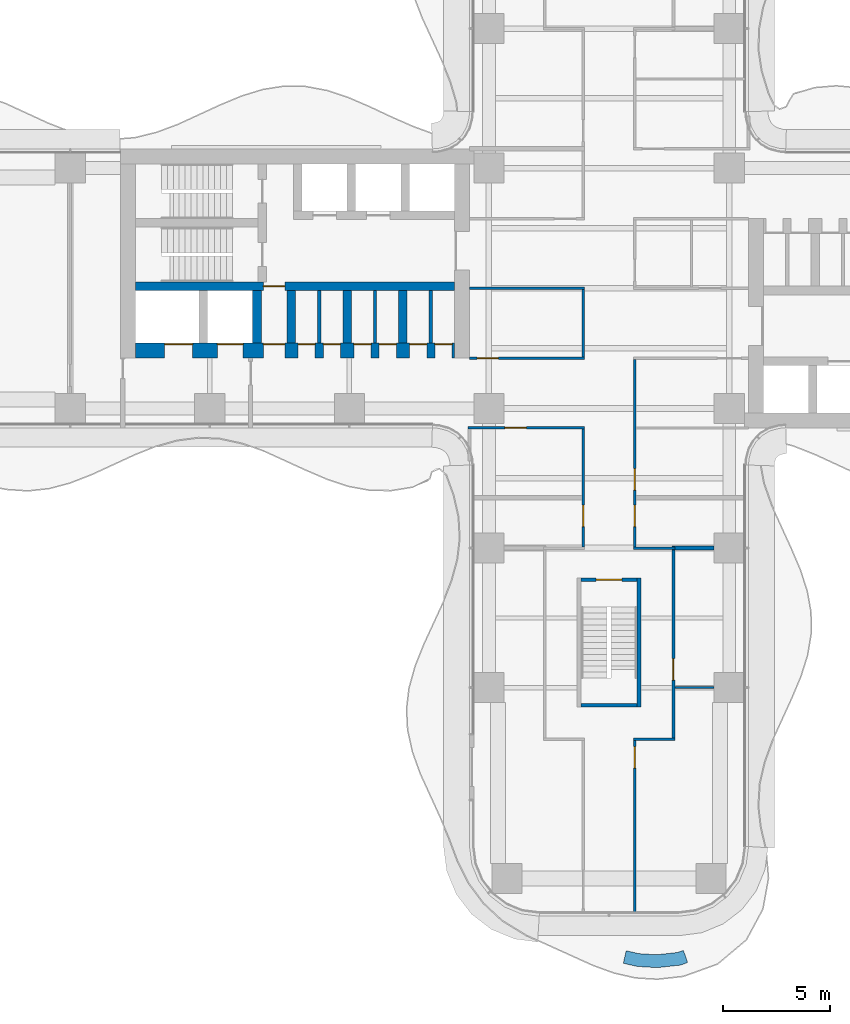
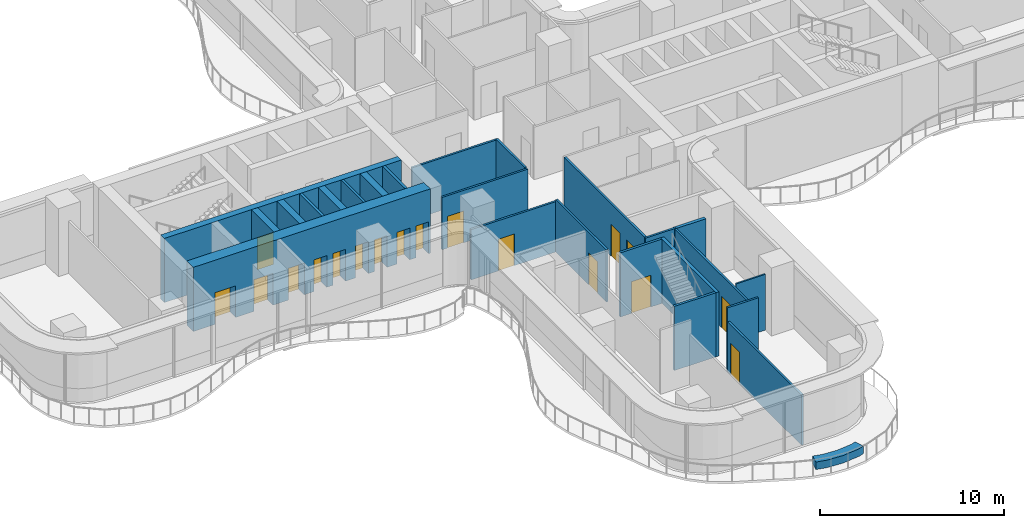
# One storey, part 17 of 22: 25 walls, 18 doors, 18 openings.
"""IFC4 building model written with IfcOpenShell, lengths in metres."""

from ifc_helpers import new_model, si_unit, direction, frame, frame_2d, origin, place, context, subcontext, project, spatial, polyline, rectangle, outline, extrude, source, transform, mapped, material, layer, layer_set, type_object, element, fill, save


model = new_model("IFC4")

# Units and contexts
model_context = context("Model", 3, precision=1e-05, world=origin(), true_north=direction((0.0, 1.0)))
body_context = subcontext(model_context, "Body", "Model", "MODEL_VIEW")
ifc_project = project(units=[si_unit("LENGTHUNIT", "METRE"), si_unit("AREAUNIT", "SQUARE_METRE"), si_unit("VOLUMEUNIT", "CUBIC_METRE"), si_unit("PLANEANGLEUNIT", "RADIAN"), si_unit("MASSUNIT", "GRAM", prefix="KILO")], contexts=[model_context])

# Site, building, storey
site_placement = place(None, origin())
site = spatial("IfcSite", under=ifc_project, at=site_placement, CompositionType="ELEMENT")
building_placement = place(site_placement, origin())
building = spatial("IfcBuilding", under=site, at=building_placement, Name="Trellis Farm Tower", CompositionType="ELEMENT")
storey_placement = place(building_placement, frame((0.0, 0.0, 56.5)))
storey = spatial("IfcBuildingStorey", under=building, at=storey_placement, Name="L11", CompositionType="ELEMENT", Elevation=56.5)

# Walls
ifc_material_1 = material(Name="Sandstone faced masonry planter", Category="masonry")
ifc_layer_1 = layer(ifc_material_1, 0.60009765625)
ifc_layer_set_1 = layer_set([ifc_layer_1], Name="PLANTER BED 600")
wall_type_1 = type_object("IfcWallType", Name="PLANTER BED 600", PredefinedType="USERDEFINED", material=ifc_layer_set_1)
wall_1_placement = place(storey_placement, origin())
element("IfcWall", 1, at=wall_1_placement, inside=storey, type_object=wall_type_1, Name="PLANTER bed", ObjectType="PLANTER", PredefinedType="USERDEFINED", context=body_context, shape_type="SweptSolid", body=[
    extrude(outline(polyline([(2.248779296875, -31.644287109375), (1.3125, -31.589599609375), (0.666259765625, -31.4423828125), (0.79931640625, -30.857421875), (1.397216796875, -30.993408203125), (2.23388671875, -31.042236328125), (3.193115234375, -30.9384765625), (3.464599609375, -30.84228515625), (3.6650390625, -31.40771484375), (3.32763671875, -31.52734375), (2.248779296875, -31.644287109375)])), origin(), (0.0, 0.0, 1.0), 0.5),
])
ifc_material_2 = material(Name="Concrete C80/95", Category="concrete")
ifc_layer_2 = layer(ifc_material_2, 0.39990234375)
ifc_layer_set_2 = layer_set([ifc_layer_2], Name="CORE INNER WALL 400 CONCRETE C80/95")
wall_type_2 = type_object("IfcWallType", Name="CORE INNER WALL 400 CONCRETE C80/95", PredefinedType="SHEAR", material=ifc_layer_set_2)
shared_shape_1 = source(origin(), body_context, "Body", "SweptSolid", [
    extrude(rectangle(XDim=2.449951171875, YDim=0.39990234375, at=frame_2d((1.22509765625, 0.0))), origin(), (0.0, 0.0, 1.0), 4.25),
])
for number, where, z_axis, x_axis, name in (
    (2, (-9.60009765625, -0.10009765625, 0.0), (0.0, 0.0, 1.0), (0.0, -1.0, 0.0), "Core wall"),
    (3, (-12.199951171875, -0.10009765625, 0.0), (0.0, 0.0, 1.0), (0.0, -1.0, 0.0), "Core wall"),
    (4, (-14.800048828125, -0.10009765625, 0.0), (0.0, 0.0, 1.0), (0.0, -1.0, 0.0), "Core wall"),
    (5, (-16.39990234375, -0.10009765625, 0.0), (0.0, 0.0, 1.0), (0.0, -1.0, 0.0), "Core wall"),
):
    element("IfcWall", number, at=place(storey_placement, frame(where, z_axis=z_axis, x_axis=x_axis)), inside=storey, type_object=wall_type_2, Name=name, PredefinedType="SHEAR", context=body_context, shape_type="MappedRepresentation", body=[
        mapped(shared_shape_1, transform((0.0, 0.0, 0.0))),
    ])

# Wall, openings, doors
ifc_layer_3 = layer(ifc_material_2, 0.699951171875)
ifc_layer_set_3 = layer_set([ifc_layer_3], Name="CORE OUTER WALL 700 CONCRETE C80/95")
wall_type_3 = type_object("IfcWallType", Name="CORE OUTER WALL 700 CONCRETE C80/95", PredefinedType="SHEAR", material=ifc_layer_set_3)
shared_shape_2 = source(origin(), body_context, "Body", "SweptSolid", [
    extrude(rectangle(XDim=14.85009765625, YDim=0.699951171875, at=frame_2d((7.425048828125, 0.0))), origin(), (0.0, 0.0, 1.0), 4.25),
])
wall_2_placement = place(storey_placement, frame((-7.199951171875, -2.89990234375, 0.0), z_axis=(0.0, 0.0, 1.0), x_axis=(-1.0, 0.0, 0.0)))
wall_2 = element("IfcWall", 6, at=wall_2_placement, inside=storey, type_object=wall_type_3, Name="Core wall", PredefinedType="SHEAR", context=body_context, shape_type="MappedRepresentation", body=[
    mapped(shared_shape_2, transform((0.0, 0.0, 0.0))),
])
shared_shape_3 = source(origin(), body_context, "Body", "SweptSolid", [
    extrude(rectangle(XDim=1.300048828125, YDim=2.10009765625, at=frame_2d((0.64990234375, 1.050048828125))), frame((0.0, 0.360107421875, 0.0), z_axis=(0.0, -1.0, 0.0), x_axis=(1.0, 0.0, 0.0)), (0.0, 0.0, 1.0), 0.72021484375),
])
opening_1_placement = place(wall_2_placement, frame((12.199951171875, 0.0, 0.0)))
opening_1 = element("IfcOpeningElement", 7, at=opening_1_placement, cuts=wall_2, Name="Opening LD15", PredefinedType="OPENING", context=body_context, shape_type="MappedRepresentation", body=[
    mapped(shared_shape_3, transform((0.0, 0.0, 0.0))),
])
shared_shape_4 = source(origin(), body_context, "Body", "SweptSolid", [
    extrude(rectangle(XDim=1.199951171875, YDim=2.10009765625, at=frame_2d((0.60009765625, 1.050048828125))), frame((0.0, 0.360107421875, 0.0), z_axis=(0.0, -1.0, 0.0), x_axis=(1.0, 0.0, 0.0)), (0.0, 0.0, 1.0), 0.72021484375),
])
opening_2_placement = place(wall_2_placement, frame((9.85009765625, 0.0, 0.0)))
opening_2 = element("IfcOpeningElement", 8, at=opening_2_placement, cuts=wall_2, Name="Opening LD16", PredefinedType="OPENING", context=body_context, shape_type="MappedRepresentation", body=[
    mapped(shared_shape_4, transform((0.0, 0.0, 0.0))),
])
shared_shape_5 = source(origin(), body_context, "Body", "SweptSolid", [
    extrude(rectangle(XDim=1.0, YDim=2.10009765625, at=frame_2d((0.5, 1.050048828125))), frame((0.0, 0.360107421875, 0.0), z_axis=(0.0, -1.0, 0.0), x_axis=(1.0, 0.0, 0.0)), (0.0, 0.0, 1.0), 0.72021484375),
])
opening_3_placement = place(wall_2_placement, frame((7.89990234375, 0.0, 0.0)))
opening_3 = element("IfcOpeningElement", 9, at=opening_3_placement, cuts=wall_2, Name="Opening DC92", PredefinedType="OPENING", context=body_context, shape_type="MappedRepresentation", body=[
    mapped(shared_shape_5, transform((0.0, 0.0, 0.0))),
])
shared_shape_6 = source(origin(), body_context, "Body", "SweptSolid", [
    extrude(rectangle(XDim=0.800048828125, YDim=2.10009765625, at=frame_2d((0.39990234375, 1.050048828125))), frame((0.0, 0.360107421875, 0.0), z_axis=(0.0, -1.0, 0.0), x_axis=(1.0, 0.0, 0.0)), (0.0, 0.0, 1.0), 0.72021484375),
])
opening_4_placement = place(wall_2_placement, frame((0.112548828125, 0.0, 0.0)))
opening_4 = element("IfcOpeningElement", 10, at=opening_4_placement, cuts=wall_2, Name="Opening DC95", PredefinedType="OPENING", context=body_context, shape_type="MappedRepresentation", body=[
    mapped(shared_shape_6, transform((0.0, 0.0, 0.0))),
])
opening_5_placement = place(wall_2_placement, frame((1.28759765625, 0.0, 0.0)))
opening_5 = element("IfcOpeningElement", 11, at=opening_5_placement, cuts=wall_2, Name="Opening DC102", PredefinedType="OPENING", context=body_context, shape_type="MappedRepresentation", body=[
    mapped(shared_shape_6, transform((0.0, 0.0, 0.0))),
])
opening_6_placement = place(wall_2_placement, frame((2.71240234375, 0.0, 0.0)))
opening_6 = element("IfcOpeningElement", 12, at=opening_6_placement, cuts=wall_2, Name="Opening DC107", PredefinedType="OPENING", context=body_context, shape_type="MappedRepresentation", body=[
    mapped(shared_shape_6, transform((0.0, 0.0, 0.0))),
])
opening_7_placement = place(wall_2_placement, frame((3.887451171875, 0.0, 0.0)))
opening_7 = element("IfcOpeningElement", 13, at=opening_7_placement, cuts=wall_2, Name="Opening DC114", PredefinedType="OPENING", context=body_context, shape_type="MappedRepresentation", body=[
    mapped(shared_shape_6, transform((0.0, 0.0, 0.0))),
])
opening_8_placement = place(wall_2_placement, frame((5.3125, 0.0, 0.0)))
opening_8 = element("IfcOpeningElement", 14, at=opening_8_placement, cuts=wall_2, Name="Opening DC119", PredefinedType="OPENING", context=body_context, shape_type="MappedRepresentation", body=[
    mapped(shared_shape_6, transform((0.0, 0.0, 0.0))),
])
opening_9_placement = place(wall_2_placement, frame((6.487548828125, 0.0, 0.0)))
opening_9 = element("IfcOpeningElement", 15, at=opening_9_placement, cuts=wall_2, Name="Opening DC126", PredefinedType="OPENING", context=body_context, shape_type="MappedRepresentation", body=[
    mapped(shared_shape_6, transform((0.0, 0.0, 0.0))),
])
ifc_material_3 = material(Name="Steel", Category="steel")
door_type_1 = type_object("IfcDoorType", Name="CORE FIRE DOOR 1000 X 2100", OperationType="NOTDEFINED", PredefinedType="DOOR", material=ifc_material_3)
shared_shape_7 = source(origin(), body_context, "Body", "SweptSolid", [
    extrude(rectangle(XDim=1.0, YDim=2.10009765625, at=frame_2d((0.5, 1.050048828125))), frame((0.0, -0.27490234375, 0.0), z_axis=(0.0, -1.0, 0.0), x_axis=(1.0, 0.0, 0.0)), (0.0, 0.0, 1.0), 0.050048828125),
])
door_1_placement = place(opening_3_placement, origin())
door_1 = element("IfcDoor", 16, at=door_1_placement, inside=storey, type_object=door_type_1, Name="Core door", OperationType="SINGLE_SWING_LEFT", OverallHeight=2.10009765625, OverallWidth=1.0, PredefinedType="DOOR", context=body_context, shape_type="MappedRepresentation", body=[
    mapped(shared_shape_7, transform((0.0, 0.0, 0.0))),
])
fill(opening_3, door_1)
ifc_material_4 = material(Name="Stainless steel", Category="steel")
door_type_2 = type_object("IfcDoorType", Name="LIFT LANDING DOOR 1300 X 2100", OperationType="DOUBLE_DOOR_SLIDING", PredefinedType="DOOR", material=ifc_material_4)
shared_shape_8 = source(origin(), body_context, "Body", "SweptSolid", [
    extrude(rectangle(XDim=1.300048828125, YDim=2.10009765625, at=frame_2d((0.64990234375, 1.050048828125))), frame((0.0, -0.27490234375, 0.0), z_axis=(0.0, -1.0, 0.0), x_axis=(1.0, 0.0, 0.0)), (0.0, 0.0, 1.0), 0.050048828125),
])
door_2_placement = place(opening_1_placement, origin())
door_2 = element("IfcDoor", 17, at=door_2_placement, inside=storey, type_object=door_type_2, Name="Lift landing door", OperationType="DOUBLE_DOOR_SLIDING", OverallHeight=2.10009765625, OverallWidth=1.300048828125, PredefinedType="DOOR", context=body_context, shape_type="MappedRepresentation", body=[
    mapped(shared_shape_8, transform((0.0, 0.0, 0.0))),
])
fill(opening_1, door_2)
door_type_3 = type_object("IfcDoorType", Name="LIFT LANDING DOOR 1200 X 2100", OperationType="DOUBLE_DOOR_SLIDING", PredefinedType="DOOR", material=ifc_material_4)
shared_shape_9 = source(origin(), body_context, "Body", "SweptSolid", [
    extrude(rectangle(XDim=1.199951171875, YDim=2.10009765625, at=frame_2d((0.60009765625, 1.050048828125))), frame((0.0, -0.27490234375, 0.0), z_axis=(0.0, -1.0, 0.0), x_axis=(1.0, 0.0, 0.0)), (0.0, 0.0, 1.0), 0.050048828125),
])
door_3_placement = place(opening_2_placement, origin())
door_3 = element("IfcDoor", 18, at=door_3_placement, inside=storey, type_object=door_type_3, Name="Lift landing door", OperationType="DOUBLE_DOOR_SLIDING", OverallHeight=2.10009765625, OverallWidth=1.199951171875, PredefinedType="DOOR", context=body_context, shape_type="MappedRepresentation", body=[
    mapped(shared_shape_9, transform((0.0, 0.0, 0.0))),
])
fill(opening_2, door_3)
door_type_4 = type_object("IfcDoorType", Name="CORE FIRE DOOR 800 X 2100", OperationType="NOTDEFINED", PredefinedType="DOOR", material=ifc_material_3)
shared_shape_10 = source(origin(), body_context, "Body", "SweptSolid", [
    extrude(rectangle(XDim=0.800048828125, YDim=2.10009765625, at=frame_2d((0.39990234375, 1.050048828125))), frame((0.0, -0.27490234375, 0.0), z_axis=(0.0, -1.0, 0.0), x_axis=(1.0, 0.0, 0.0)), (0.0, 0.0, 1.0), 0.050048828125),
])
door_4_placement = place(opening_4_placement, origin())
door_4 = element("IfcDoor", 19, at=door_4_placement, inside=storey, type_object=door_type_4, Name="Core door", OperationType="SINGLE_SWING_LEFT", OverallHeight=2.10009765625, OverallWidth=0.800048828125, PredefinedType="DOOR", context=body_context, shape_type="MappedRepresentation", body=[
    mapped(shared_shape_10, transform((0.0, 0.0, 0.0))),
])
fill(opening_4, door_4)
door_5_placement = place(opening_5_placement, origin())
door_5 = element("IfcDoor", 20, at=door_5_placement, inside=storey, type_object=door_type_4, Name="Core door", OperationType="SINGLE_SWING_RIGHT", OverallHeight=2.10009765625, OverallWidth=0.800048828125, PredefinedType="DOOR", context=body_context, shape_type="MappedRepresentation", body=[
    mapped(shared_shape_10, transform((0.0, 0.0, 0.0))),
])
fill(opening_5, door_5)
door_6_placement = place(opening_6_placement, origin())
door_6 = element("IfcDoor", 21, at=door_6_placement, inside=storey, type_object=door_type_4, Name="Core door", OperationType="SINGLE_SWING_LEFT", OverallHeight=2.10009765625, OverallWidth=0.800048828125, PredefinedType="DOOR", context=body_context, shape_type="MappedRepresentation", body=[
    mapped(shared_shape_10, transform((0.0, 0.0, 0.0))),
])
fill(opening_6, door_6)
door_7_placement = place(opening_7_placement, origin())
door_7 = element("IfcDoor", 22, at=door_7_placement, inside=storey, type_object=door_type_4, Name="Core door", OperationType="SINGLE_SWING_RIGHT", OverallHeight=2.10009765625, OverallWidth=0.800048828125, PredefinedType="DOOR", context=body_context, shape_type="MappedRepresentation", body=[
    mapped(shared_shape_10, transform((0.0, 0.0, 0.0))),
])
fill(opening_7, door_7)
door_8_placement = place(opening_8_placement, origin())
door_8 = element("IfcDoor", 23, at=door_8_placement, inside=storey, type_object=door_type_4, Name="Core door", OperationType="SINGLE_SWING_LEFT", OverallHeight=2.10009765625, OverallWidth=0.800048828125, PredefinedType="DOOR", context=body_context, shape_type="MappedRepresentation", body=[
    mapped(shared_shape_10, transform((0.0, 0.0, 0.0))),
])
fill(opening_8, door_8)
door_9_placement = place(opening_9_placement, origin())
door_9 = element("IfcDoor", 24, at=door_9_placement, inside=storey, type_object=door_type_4, Name="Core door", OperationType="SINGLE_SWING_RIGHT", OverallHeight=2.10009765625, OverallWidth=0.800048828125, PredefinedType="DOOR", context=body_context, shape_type="MappedRepresentation", body=[
    mapped(shared_shape_10, transform((0.0, 0.0, 0.0))),
])
fill(opening_9, door_9)

# Wall, opening, door
shared_shape_11 = source(origin(), body_context, "Body", "SweptSolid", [
    extrude(rectangle(XDim=14.85009765625, YDim=0.39990234375, at=frame_2d((7.425048828125, 0.0))), origin(), (0.0, 0.0, 1.0), 4.25),
])
wall_3_placement = place(storey_placement, frame((-7.199951171875, 0.10009765625, 0.0), z_axis=(0.0, 0.0, 1.0), x_axis=(-1.0, 0.0, 0.0)))
wall_3 = element("IfcWall", 25, at=wall_3_placement, inside=storey, type_object=wall_type_2, Name="Core wall", PredefinedType="SHEAR", context=body_context, shape_type="MappedRepresentation", body=[
    mapped(shared_shape_11, transform((0.0, 0.0, 0.0))),
])
shared_shape_12 = source(origin(), body_context, "Body", "SweptSolid", [
    extrude(rectangle(XDim=1.0, YDim=2.10009765625, at=frame_2d((0.5, 1.050048828125))), frame((0.0, 0.2099609375, 0.0), z_axis=(0.0, -1.0, 0.0), x_axis=(1.0, 0.0, 0.0)), (0.0, 0.0, 1.0), 0.419921875),
])
opening_10_placement = place(wall_3_placement, frame((7.89990234375, 0.0, 0.0)))
opening_10 = element("IfcOpeningElement", 26, at=opening_10_placement, cuts=wall_3, Name="Opening DC91", PredefinedType="OPENING", context=body_context, shape_type="MappedRepresentation", body=[
    mapped(shared_shape_12, transform((0.0, 0.0, 0.0))),
])
shared_shape_13 = source(origin(), body_context, "Body", "SweptSolid", [
    extrude(rectangle(XDim=1.0, YDim=2.10009765625, at=frame_2d((0.5, 1.050048828125))), frame((0.0, 0.02490234375, 0.0), z_axis=(0.0, -1.0, 0.0), x_axis=(1.0, 0.0, 0.0)), (0.0, 0.0, 1.0), 0.050048828125),
])
door_10_placement = place(opening_10_placement, origin())
door_10 = element("IfcDoor", 27, at=door_10_placement, inside=storey, type_object=door_type_1, Name="Core door", OperationType="SINGLE_SWING_RIGHT", OverallHeight=2.10009765625, OverallWidth=1.0, PredefinedType="DOOR", context=body_context, shape_type="MappedRepresentation", body=[
    mapped(shared_shape_13, transform((0.0, 0.0, 0.0))),
])
fill(opening_10, door_10)

# Walls
ifc_material_5 = material(Name="Masonry blockwork", Category="masonry")
ifc_layer_4 = layer(ifc_material_5, 0.14990234375)
ifc_layer_set_4 = layer_set([ifc_layer_4], Name="CORE PARTITION 150 BLOCKWORK")
wall_type_4 = type_object("IfcWallType", Name="CORE PARTITION 150 BLOCKWORK", PredefinedType="PARTITIONING", material=ifc_layer_set_4)
shared_shape_14 = source(origin(), body_context, "Body", "SweptSolid", [
    extrude(rectangle(XDim=2.449951171875, YDim=0.14990234375, at=frame_2d((1.22509765625, 0.0))), origin(), (0.0, 0.0, 1.0), 4.25),
])
for number, where, z_axis, x_axis, name in (
    (28, (-8.300048828125, -0.10009765625, 0.0), (0.0, 0.0, 1.0), (0.0, -1.0, 0.0), "Core room partition"),
    (29, (-10.89990234375, -0.10009765625, 0.0), (0.0, 0.0, 1.0), (0.0, -1.0, 0.0), "Core room partition"),
    (30, (-13.5, -0.10009765625, 0.0), (0.0, 0.0, 1.0), (0.0, -1.0, 0.0), "Core room partition"),
):
    element("IfcWall", number, at=place(storey_placement, frame(where, z_axis=z_axis, x_axis=x_axis)), inside=storey, type_object=wall_type_4, Name=name, PredefinedType="PARTITIONING", context=body_context, shape_type="MappedRepresentation", body=[
        mapped(shared_shape_14, transform((0.0, 0.0, 0.0))),
    ])
ifc_layer_5 = layer(ifc_material_2, 0.199951171875)
ifc_layer_set_5 = layer_set([ifc_layer_5], Name="CORE STAIR ENCLOSURE WALL 200 CONCRETE C80/95")
wall_type_5 = type_object("IfcWallType", Name="CORE STAIR ENCLOSURE WALL 200 CONCRETE C80/95", PredefinedType="SHEAR", material=ifc_layer_set_5)
shared_shape_15 = source(origin(), body_context, "Body", "SweptSolid", [
    extrude(rectangle(XDim=6.0, YDim=0.199951171875, at=frame_2d((3.0, 0.0))), origin(), (0.0, 0.0, 1.0), 4.25),
])
wall_4_placement = place(storey_placement, frame((1.39990234375, -13.5, 0.0), z_axis=(0.0, 0.0, 1.0), x_axis=(0.0, -1.0, 0.0)))
element("IfcWall", 31, at=wall_4_placement, inside=storey, type_object=wall_type_5, Name="Stair enclosure wall", PredefinedType="SHEAR", context=body_context, shape_type="MappedRepresentation", body=[
    mapped(shared_shape_15, transform((0.0, 0.0, 0.0))),
])

# Wall, opening, door
ifc_layer_6 = layer(ifc_material_2, 0.14990234375)
ifc_layer_set_6 = layer_set([ifc_layer_6], Name="CORE STAIR ENCLOSURE WALL 150 CONCRETE C80/95")
wall_type_6 = type_object("IfcWallType", Name="CORE STAIR ENCLOSURE WALL 150 CONCRETE C80/95", PredefinedType="SHEAR", material=ifc_layer_set_6)
shared_shape_16 = source(origin(), body_context, "Body", "SweptSolid", [
    extrude(rectangle(XDim=2.60009765625, YDim=0.14990234375, at=frame_2d((1.300048828125, 0.0))), origin(), (0.0, 0.0, 1.0), 4.25),
])
wall_5_placement = place(storey_placement, frame((1.300048828125, -13.574951171875, 0.0), z_axis=(0.0, 0.0, 1.0), x_axis=(-1.0, 0.0, 0.0)))
wall_5 = element("IfcWall", 32, at=wall_5_placement, inside=storey, type_object=wall_type_6, Name="Stair enclosure wall", PredefinedType="SHEAR", context=body_context, shape_type="MappedRepresentation", body=[
    mapped(shared_shape_16, transform((0.0, 0.0, 0.0))),
])
shared_shape_17 = source(origin(), body_context, "Body", "SweptSolid", [
    extrude(rectangle(XDim=1.199951171875, YDim=2.10009765625, at=frame_2d((0.60009765625, 1.050048828125))), frame((0.0, 0.0849609375, 0.0), z_axis=(0.0, -1.0, 0.0), x_axis=(1.0, 0.0, 0.0)), (0.0, 0.0, 1.0), 0.169921875),
])
opening_11_placement = place(wall_5_placement, frame((0.699951171875, 0.0, 0.0)))
opening_11 = element("IfcOpeningElement", 33, at=opening_11_placement, cuts=wall_5, Name="Opening DC174", PredefinedType="OPENING", context=body_context, shape_type="MappedRepresentation", body=[
    mapped(shared_shape_17, transform((0.0, 0.0, 0.0))),
])
door_type_5 = type_object("IfcDoorType", Name="CORE FIRE DOOR 1200 X 2100", OperationType="NOTDEFINED", PredefinedType="DOOR", material=ifc_material_3)
shared_shape_18 = source(origin(), body_context, "Body", "SweptSolid", [
    extrude(rectangle(XDim=1.199951171875, YDim=2.10009765625, at=frame_2d((0.60009765625, 1.050048828125))), frame((0.0, 0.02490234375, 0.0), z_axis=(0.0, -1.0, 0.0), x_axis=(1.0, 0.0, 0.0)), (0.0, 0.0, 1.0), 0.050048828125),
])
door_11_placement = place(opening_11_placement, origin())
door_11 = element("IfcDoor", 34, at=door_11_placement, inside=storey, type_object=door_type_5, Name="Core door", OperationType="SINGLE_SWING_RIGHT", OverallHeight=2.10009765625, OverallWidth=1.199951171875, PredefinedType="DOOR", context=body_context, shape_type="MappedRepresentation", body=[
    mapped(shared_shape_18, transform((0.0, 0.0, 0.0))),
])
fill(opening_11, door_11)

# Walls
wall_6_placement = place(storey_placement, frame((1.300048828125, -19.425048828125, 0.0), z_axis=(0.0, 0.0, 1.0), x_axis=(-1.0, 0.0, 0.0)))
element("IfcWall", 35, at=wall_6_placement, inside=storey, type_object=wall_type_6, Name="Stair enclosure wall", PredefinedType="SHEAR", context=body_context, shape_type="MappedRepresentation", body=[
    mapped(shared_shape_16, transform((0.0, 0.0, 0.0))),
])
ifc_material_6 = material(Name="Plasterboard on steel studs, mineral wool", Category="steel")
ifc_layer_7 = layer(ifc_material_6, 0.125)
ifc_layer_set_7 = layer_set([ifc_layer_7], Name="PARTITION 125 STUD EI 60")
wall_type_7 = type_object("IfcWallType", Name="PARTITION 125 STUD EI 60", PredefinedType="PARTITIONING", material=ifc_layer_set_7)
shared_shape_19 = source(origin(), body_context, "Body", "SweptSolid", [
    extrude(rectangle(XDim=3.125, YDim=0.125, at=frame_2d((1.5625, 0.0))), origin(), (0.0, 0.0, 1.0), 3.54638671875),
])
wall_7_placement = place(storey_placement, frame((-1.199951171875, -0.0625, 0.0), z_axis=(0.0, 0.0, 1.0), x_axis=(0.0, -1.0, 0.0)))
element("IfcWall", 36, at=wall_7_placement, inside=storey, type_object=wall_type_7, Name="Partition PW1", PredefinedType="PARTITIONING", context=body_context, shape_type="MappedRepresentation", body=[
    mapped(shared_shape_19, transform((0.0, 0.0, 0.0))),
])

# Wall, opening, door
shared_shape_20 = source(origin(), body_context, "Body", "SweptSolid", [
    extrude(rectangle(XDim=5.47509765625, YDim=0.125, at=frame_2d((2.737548828125, 0.0))), origin(), (0.0, 0.0, 1.0), 3.4677734375),
])
wall_8_placement = place(storey_placement, frame((-1.199951171875, -6.5625, 0.0), z_axis=(0.0, 0.0, 1.0), x_axis=(0.0, -1.0, 0.0)))
wall_8 = element("IfcWall", 37, at=wall_8_placement, inside=storey, type_object=wall_type_7, Name="Partition PW1", PredefinedType="PARTITIONING", context=body_context, shape_type="MappedRepresentation", body=[
    mapped(shared_shape_20, transform((0.0, 0.0, 0.0))),
])
shared_shape_21 = source(origin(), body_context, "Body", "SweptSolid", [
    extrude(rectangle(XDim=1.0, YDim=2.10009765625, at=frame_2d((0.5, 1.050048828125))), frame((0.0, 0.072509765625, 0.0), z_axis=(0.0, -1.0, 0.0), x_axis=(1.0, 0.0, 0.0)), (0.0, 0.0, 1.0), 0.14501953125),
])
opening_12_placement = place(wall_8_placement, frame((3.53759765625, 0.0, 0.0)))
opening_12 = element("IfcOpeningElement", 38, at=opening_12_placement, cuts=wall_8, Name="Opening D301", PredefinedType="OPENING", context=body_context, shape_type="MappedRepresentation", body=[
    mapped(shared_shape_21, transform((0.0, 0.0, 0.0))),
])
ifc_material_7 = material(Name="Fire-rated timber door leaf in a hollow metal frame", Category="wood")
door_type_6 = type_object("IfcDoorType", Name="DOOR 1000x2100 FD60", OperationType="NOTDEFINED", PredefinedType="DOOR", material=ifc_material_7)
door_12_placement = place(opening_12_placement, origin())
door_12 = element("IfcDoor", 39, at=door_12_placement, inside=storey, type_object=door_type_6, Name="Door D301", OperationType="SINGLE_SWING_LEFT", OverallHeight=2.10009765625, OverallWidth=1.0, PredefinedType="DOOR", context=body_context, shape_type="MappedRepresentation", body=[
    mapped(shared_shape_13, transform((0.0, 0.0, 0.0))),
])
fill(opening_12, door_12)

# Wall
shared_shape_22 = source(origin(), body_context, "Body", "SweptSolid", [
    extrude(rectangle(XDim=1.925048828125, YDim=0.125, at=frame_2d((0.96240234375, 0.0))), origin(), (0.0, 0.0, 1.0), 3.4677734375),
])
wall_9_placement = place(storey_placement, frame((1.137451171875, -12.10009765625, 0.0), z_axis=(0.0, 0.0, 1.0), x_axis=(1.0, 0.0, 0.0)))
element("IfcWall", 40, at=wall_9_placement, inside=storey, type_object=wall_type_7, Name="Partition PW1", PredefinedType="PARTITIONING", context=body_context, shape_type="MappedRepresentation", body=[
    mapped(shared_shape_22, transform((0.0, 0.0, 0.0))),
])

# Wall, opening, door
shared_shape_23 = source(origin(), body_context, "Body", "SweptSolid", [
    extrude(rectangle(XDim=5.362548828125, YDim=0.125, at=frame_2d((2.68115234375, 0.0))), origin(), (0.0, 0.0, 1.0), 3.4677734375),
])
wall_10_placement = place(storey_placement, frame((-1.137451171875, -3.25, 0.0), z_axis=(0.0, 0.0, 1.0), x_axis=(-1.0, 0.0, 0.0)))
wall_10 = element("IfcWall", 41, at=wall_10_placement, inside=storey, type_object=wall_type_7, Name="Partition PW1", PredefinedType="PARTITIONING", context=body_context, shape_type="MappedRepresentation", body=[
    mapped(shared_shape_23, transform((0.0, 0.0, 0.0))),
])
opening_13_placement = place(wall_10_placement, frame((4.012451171875, 0.0, 0.0)))
opening_13 = element("IfcOpeningElement", 42, at=opening_13_placement, cuts=wall_10, Name="Opening D107", PredefinedType="OPENING", context=body_context, shape_type="MappedRepresentation", body=[
    mapped(shared_shape_21, transform((0.0, 0.0, 0.0))),
])
door_type_7 = type_object("IfcDoorType", Name="DOOR 1000x2100 FD30S", OperationType="NOTDEFINED", PredefinedType="DOOR", material=ifc_material_7)
door_13_placement = place(opening_13_placement, origin())
door_13 = element("IfcDoor", 43, at=door_13_placement, inside=storey, type_object=door_type_7, Name="Door D107", OperationType="SINGLE_SWING_RIGHT", OverallHeight=2.10009765625, OverallWidth=1.0, PredefinedType="DOOR", context=body_context, shape_type="MappedRepresentation", body=[
    mapped(shared_shape_13, transform((0.0, 0.0, 0.0))),
])
fill(opening_13, door_13)

# Wall
wall_11_placement = place(storey_placement, frame((-1.137451171875, 0.0, 0.0), z_axis=(0.0, 0.0, 1.0), x_axis=(-1.0, 0.0, 0.0)))
element("IfcWall", 44, at=wall_11_placement, inside=storey, type_object=wall_type_7, Name="Partition PW1", PredefinedType="PARTITIONING", context=body_context, shape_type="MappedRepresentation", body=[
    mapped(shared_shape_23, transform((0.0, 0.0, 0.0))),
])

# Wall, opening, door
shared_shape_24 = source(origin(), body_context, "Body", "SweptSolid", [
    extrude(rectangle(XDim=5.425048828125, YDim=0.125, at=frame_2d((2.71240234375, 0.0))), origin(), (0.0, 0.0, 1.0), 3.330078125),
])
wall_12_placement = place(storey_placement, frame((-1.137451171875, -6.5, 0.0), z_axis=(0.0, 0.0, 1.0), x_axis=(-1.0, 0.0, 0.0)))
wall_12 = element("IfcWall", 45, at=wall_12_placement, inside=storey, type_object=wall_type_7, Name="Partition PW1", PredefinedType="PARTITIONING", context=body_context, shape_type="MappedRepresentation", body=[
    mapped(shared_shape_24, transform((0.0, 0.0, 0.0))),
])
opening_14_placement = place(wall_12_placement, frame((2.71240234375, 0.0, 0.0)))
opening_14 = element("IfcOpeningElement", 46, at=opening_14_placement, cuts=wall_12, Name="Opening D105", PredefinedType="OPENING", context=body_context, shape_type="MappedRepresentation", body=[
    mapped(shared_shape_21, transform((0.0, 0.0, 0.0))),
])
door_14_placement = place(opening_14_placement, origin())
door_14 = element("IfcDoor", 47, at=door_14_placement, inside=storey, type_object=door_type_7, Name="Door D105", OperationType="SINGLE_SWING_RIGHT", OverallHeight=2.10009765625, OverallWidth=1.0, PredefinedType="DOOR", context=body_context, shape_type="MappedRepresentation", body=[
    mapped(shared_shape_13, transform((0.0, 0.0, 0.0))),
])
fill(opening_14, door_14)

# Wall
ifc_material_8 = material(Name="Lightweight blockwork, plastered", Category="masonry")
ifc_layer_8 = layer(ifc_material_8, 0.199951171875)
ifc_layer_set_8 = layer_set([ifc_layer_8], Name="BLOCK WALL 200 EI 120")
wall_type_8 = type_object("IfcWallType", Name="BLOCK WALL 200 EI 120", PredefinedType="PARTITIONING", material=ifc_layer_set_8)
shared_shape_25 = source(origin(), body_context, "Body", "SweptSolid", [
    extrude(rectangle(XDim=1.96240234375, YDim=0.199951171875, at=frame_2d((0.981201171875, 0.0))), origin(), (0.0, 0.0, 1.0), 3.4677734375),
])
wall_13_placement = place(storey_placement, frame((2.9375, -12.10009765625, 0.0), z_axis=(0.0, 0.0, 1.0), x_axis=(1.0, 0.0, 0.0)))
element("IfcWall", 48, at=wall_13_placement, inside=storey, type_object=wall_type_8, Name="Partition PW3", PredefinedType="PARTITIONING", context=body_context, shape_type="MappedRepresentation", body=[
    mapped(shared_shape_25, transform((0.0, 0.0, 0.0))),
])

# Wall, openings, doors
shared_shape_26 = source(origin(), body_context, "Body", "SweptSolid", [
    extrude(rectangle(XDim=8.72509765625, YDim=0.125, at=frame_2d((4.362548828125, 0.0))), origin(), (0.0, 0.0, 1.0), 3.4677734375),
])
wall_14_placement = place(storey_placement, frame((1.199951171875, -3.3125, 0.0), z_axis=(0.0, 0.0, 1.0), x_axis=(0.0, -1.0, 0.0)))
wall_14 = element("IfcWall", 49, at=wall_14_placement, inside=storey, type_object=wall_type_7, Name="Partition PW1", PredefinedType="PARTITIONING", context=body_context, shape_type="MappedRepresentation", body=[
    mapped(shared_shape_26, transform((0.0, 0.0, 0.0))),
])
opening_15_placement = place(wall_14_placement, frame((6.78759765625, 0.0, 0.0)))
opening_15 = element("IfcOpeningElement", 50, at=opening_15_placement, cuts=wall_14, Name="Opening D103", PredefinedType="OPENING", context=body_context, shape_type="MappedRepresentation", body=[
    mapped(shared_shape_21, transform((0.0, 0.0, 0.0))),
])
opening_16_placement = place(wall_14_placement, frame((5.08740234375, 0.0, 0.0)))
opening_16 = element("IfcOpeningElement", 51, at=opening_16_placement, cuts=wall_14, Name="Opening D104", PredefinedType="OPENING", context=body_context, shape_type="MappedRepresentation", body=[
    mapped(shared_shape_21, transform((0.0, 0.0, 0.0))),
])
door_15_placement = place(opening_15_placement, origin())
door_15 = element("IfcDoor", 52, at=door_15_placement, inside=storey, type_object=door_type_7, Name="Door D103", OperationType="SINGLE_SWING_LEFT", OverallHeight=2.10009765625, OverallWidth=1.0, PredefinedType="DOOR", context=body_context, shape_type="MappedRepresentation", body=[
    mapped(shared_shape_13, transform((0.0, 0.0, 0.0))),
])
fill(opening_15, door_15)
door_16_placement = place(opening_16_placement, origin())
door_16 = element("IfcDoor", 53, at=door_16_placement, inside=storey, type_object=door_type_7, Name="Door D104", OperationType="SINGLE_SWING_RIGHT", OverallHeight=2.10009765625, OverallWidth=1.0, PredefinedType="DOOR", context=body_context, shape_type="MappedRepresentation", body=[
    mapped(shared_shape_13, transform((0.0, 0.0, 0.0))),
])
fill(opening_16, door_16)

# Wall, opening, door
shared_shape_27 = source(origin(), body_context, "Body", "SweptSolid", [
    extrude(rectangle(XDim=7.987548828125, YDim=0.125, at=frame_2d((3.99365234375, 0.0))), origin(), (0.0, 0.0, 1.0), 3.330078125),
])
wall_15_placement = place(storey_placement, frame((1.199951171875, -21.0625, 0.0), z_axis=(0.0, 0.0, 1.0), x_axis=(0.0, -1.0, 0.0)))
wall_15 = element("IfcWall", 54, at=wall_15_placement, inside=storey, type_object=wall_type_7, Name="Partition PW1", PredefinedType="PARTITIONING", context=body_context, shape_type="MappedRepresentation", body=[
    mapped(shared_shape_27, transform((0.0, 0.0, 0.0))),
])
opening_17_placement = place(wall_15_placement, frame((0.28759765625, 0.0, 0.0)))
opening_17 = element("IfcOpeningElement", 55, at=opening_17_placement, cuts=wall_15, Name="Opening D101", PredefinedType="OPENING", context=body_context, shape_type="MappedRepresentation", body=[
    mapped(shared_shape_21, transform((0.0, 0.0, 0.0))),
])
door_17_placement = place(opening_17_placement, origin())
door_17 = element("IfcDoor", 56, at=door_17_placement, inside=storey, type_object=door_type_7, Name="Door D101", OperationType="SINGLE_SWING_LEFT", OverallHeight=2.10009765625, OverallWidth=1.0, PredefinedType="DOOR", context=body_context, shape_type="MappedRepresentation", body=[
    mapped(shared_shape_13, transform((0.0, 0.0, 0.0))),
])
fill(opening_17, door_17)

shared_shape_28 = source(origin(), body_context, "Body", "SweptSolid", [
    extrude(rectangle(XDim=8.737548828125, YDim=0.125, at=frame_2d((4.36865234375, 0.0))), origin(), (0.0, 0.0, 1.0), 3.4677734375),
])
wall_16_placement = place(storey_placement, frame((3.0, -12.199951171875, 0.0), z_axis=(0.0, 0.0, 1.0), x_axis=(0.0, -1.0, 0.0)))
wall_16 = element("IfcWall", 57, at=wall_16_placement, inside=storey, type_object=wall_type_7, Name="Partition PW1", PredefinedType="PARTITIONING", context=body_context, shape_type="MappedRepresentation", body=[
    mapped(shared_shape_28, transform((0.0, 0.0, 0.0))),
])
opening_18_placement = place(wall_16_placement, frame((5.050048828125, 0.0, 0.0)))
opening_18 = element("IfcOpeningElement", 58, at=opening_18_placement, cuts=wall_16, Name="Opening D102", PredefinedType="OPENING", context=body_context, shape_type="MappedRepresentation", body=[
    mapped(shared_shape_21, transform((0.0, 0.0, 0.0))),
])
door_18_placement = place(opening_18_placement, origin())
door_18 = element("IfcDoor", 59, at=door_18_placement, inside=storey, type_object=door_type_7, Name="Door D102", OperationType="SINGLE_SWING_RIGHT", OverallHeight=2.10009765625, OverallWidth=1.0, PredefinedType="DOOR", context=body_context, shape_type="MappedRepresentation", body=[
    mapped(shared_shape_13, transform((0.0, 0.0, 0.0))),
])
fill(opening_18, door_18)

# Walls
shared_shape_29 = source(origin(), body_context, "Body", "SweptSolid", [
    extrude(rectangle(XDim=1.925048828125, YDim=0.125, at=frame_2d((0.96240234375, 0.0))), origin(), (0.0, 0.0, 1.0), 4.25),
])
wall_17_placement = place(storey_placement, frame((3.0625, -21.0, 0.0), z_axis=(0.0, 0.0, 1.0), x_axis=(-1.0, 0.0, 0.0)))
element("IfcWall", 60, at=wall_17_placement, inside=storey, type_object=wall_type_7, Name="Partition PW1", PredefinedType="PARTITIONING", context=body_context, shape_type="MappedRepresentation", body=[
    mapped(shared_shape_29, transform((0.0, 0.0, 0.0))),
])
ifc_material_9 = material(Name="Plasterboard on steel studs", Category="steel")
ifc_layer_9 = layer(ifc_material_9, 0.10009765625)
ifc_layer_set_9 = layer_set([ifc_layer_9], Name="PARTITION 100 STUD EI 30")
wall_type_9 = type_object("IfcWallType", Name="PARTITION 100 STUD EI 30", PredefinedType="PARTITIONING", material=ifc_layer_set_9)
shared_shape_30 = source(origin(), body_context, "Body", "SweptSolid", [
    extrude(rectangle(XDim=1.83740234375, YDim=0.10009765625, at=frame_2d((0.918701171875, 0.0))), origin(), (0.0, 0.0, 1.0), 3.69677734375),
])
wall_18_placement = place(storey_placement, frame((3.0625, -18.60009765625, 0.0), z_axis=(0.0, 0.0, 1.0), x_axis=(1.0, 0.0, 0.0)))
element("IfcWall", 61, at=wall_18_placement, inside=storey, type_object=wall_type_9, Name="Partition PW2", PredefinedType="PARTITIONING", context=body_context, shape_type="MappedRepresentation", body=[
    mapped(shared_shape_30, transform((0.0, 0.0, 0.0))),
])

save(model, "model.ifc")
